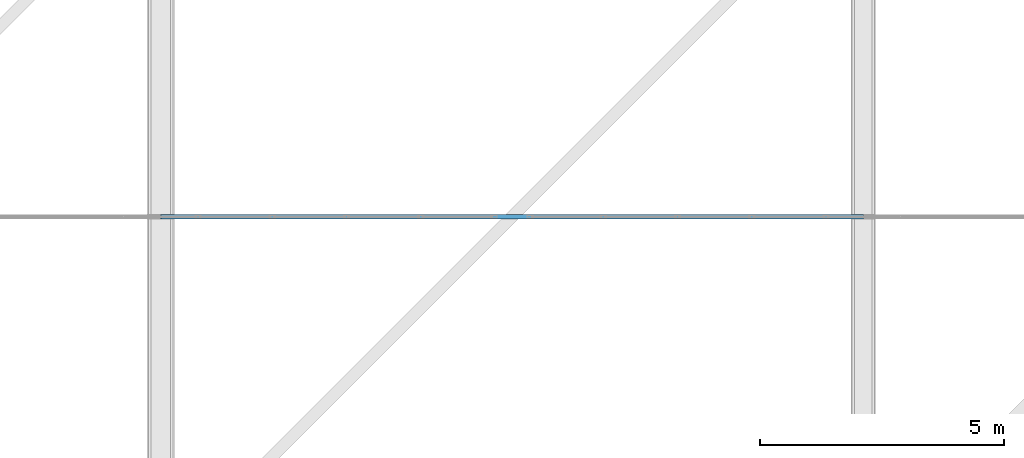
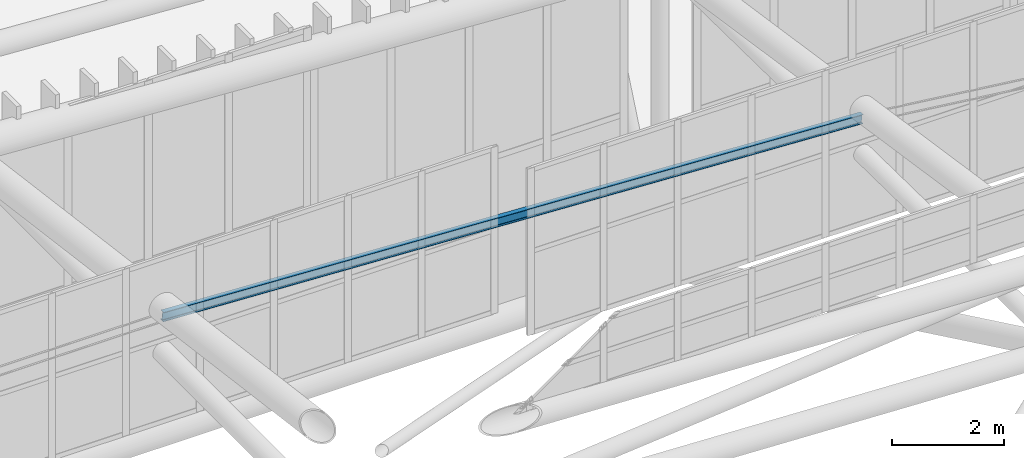
# One storey, part 309 of 397: 1 member.
"""IFC4 building model written with IfcOpenShell, lengths in metres."""

import ifcopenshell
import ifcopenshell.guid

model = None  # the IFC model being written
_history = None  # IfcOwnerHistory: only IFC2X3 demands one
_inside = {}  # id of a spatial element -> (the spatial element, [elements in it])
_under = {}  # id of a project, library or spatial element -> (it, [spatial elements below it])
_declared = {}  # id of a project -> (the project, [libraries it declares])
_typed = {}  # id of a type object -> (the type object, [elements of that type])
_made_of = {}  # id of a material, layer set ... -> (it, [elements and type objects made of it])


def new_model(schema):
    """Start an empty IFC model of exactly this schema.

    Asked for "IFC4X3", IfcOpenShell would pick the latest addendum, in which some entities
    have other attributes; the version numbers below select the first issue.
    IFC2X3 requires an IfcOwnerHistory on every rooted entity: one is made here for all.
    """
    global model, _history
    if schema == "IFC4X3":
        model = ifcopenshell.file(schema_version=(4, 3, 0, 0))
    else:
        model = ifcopenshell.file(schema=schema)
    _inside.clear()
    _under.clear()
    _declared.clear()
    _typed.clear()
    _made_of.clear()
    _history = None
    if model.schema == "IFC2X3":
        org = make("IfcOrganization", Name="unknown")
        user = make(
            "IfcPersonAndOrganization",
            ThePerson=make("IfcPerson", FamilyName="unknown"),
            TheOrganization=org,
        )
        app = make(
            "IfcApplication",
            ApplicationDeveloper=org,
            Version="unknown",
            ApplicationFullName="unknown",
            ApplicationIdentifier="unknown",
        )
        _history = make(
            "IfcOwnerHistory",
            OwningUser=user,
            OwningApplication=app,
            ChangeAction="ADDED",
            CreationDate=0,
        )
    return model


def make(cls, **values):
    """One entity of the class cls with the attributes given. An attribute that is None is left unset."""
    return model.create_entity(
        cls, **{name: value for name, value in values.items() if value is not None}
    )


def rooted(cls, **values):
    """An entity with a GlobalId (a new one), such as an element, a storey or a relation."""
    return make(cls, GlobalId=ifcopenshell.guid.new(), OwnerHistory=_history, **values)


def si_unit(unit_type, name, prefix=None):
    """IfcSIUnit, for example si_unit("LENGTHUNIT", "METRE", prefix="MILLI")."""
    return make("IfcSIUnit", UnitType=unit_type, Prefix=prefix, Name=name)


def assignment(units):
    """IfcUnitAssignment: the units of a project."""
    return None if units is None else make("IfcUnitAssignment", Units=units)


def point(xyz):
    """IfcCartesianPoint."""
    return None if xyz is None else make("IfcCartesianPoint", Coordinates=xyz)


def direction(xyz):
    """IfcDirection."""
    return None if xyz is None else make("IfcDirection", DirectionRatios=xyz)


def frame(location, z_axis=None, x_axis=None):
    """IfcAxis2Placement3D, a coordinate frame: its origin and axes. An axis left out is left unset."""
    return make(
        "IfcAxis2Placement3D",
        Location=point(location),
        Axis=direction(z_axis),
        RefDirection=direction(x_axis),
    )


def frame_2d(location, x_axis=None):
    """IfcAxis2Placement2D, a coordinate frame in the plane: its origin and x axis."""
    return make(
        "IfcAxis2Placement2D", Location=point(location), RefDirection=direction(x_axis)
    )


def origin():
    """The frame at (0, 0, 0) with its axes left unset."""
    return frame((0.0, 0.0, 0.0))


def origin_2d():
    """The frame at (0, 0) in the plane with its x axis left unset."""
    return frame_2d((0.0, 0.0))


def place(relative_to, where):
    """IfcLocalPlacement: puts the frame where relative to a parent placement (None: the world)."""
    return make(
        "IfcLocalPlacement", PlacementRelTo=relative_to, RelativePlacement=where
    )


def context(
    kind, dimensions, precision=None, world=None, true_north=None, identifier=None
):
    """IfcGeometricRepresentationContext, for example the 3D "Model" context."""
    return make(
        "IfcGeometricRepresentationContext",
        ContextIdentifier=identifier,
        ContextType=kind,
        CoordinateSpaceDimension=dimensions,
        Precision=precision,
        WorldCoordinateSystem=world,
        TrueNorth=true_north,
    )


def subcontext(parent, identifier, kind, view, scale=None):
    """IfcGeometricRepresentationSubContext, for example "Body" below "Model"."""
    return make(
        "IfcGeometricRepresentationSubContext",
        ContextIdentifier=identifier,
        ContextType=kind,
        ParentContext=parent,
        TargetScale=scale,
        TargetView=view,
    )


def project(units=None, contexts=None):
    """IfcProject with its units and contexts."""
    return rooted(
        "IfcProject",
        Name="project",
        RepresentationContexts=contexts,
        UnitsInContext=assignment(units),
    )


def spatial(cls, under=None, at=None, **own):
    """A site, building, storey or space (cls), placed at a placement, below another one or the project."""
    s = rooted(cls, ObjectPlacement=at, **own)
    if under is not None:
        _under.setdefault(under.id(), (under, []))[1].append(s)
    return s


def profile(cls, at=None, kind="AREA", **sizes):
    """A parametric profile (cls). Its sizes go by their IFC names, for example OverallWidth=200.0."""
    return make(cls, ProfileType=kind, Position=at, **sizes)


def i_section(**sizes):
    """IfcIShapeProfileDef."""
    return profile("IfcIShapeProfileDef", **sizes)


def extrude(swept, where, along, depth):
    """IfcExtrudedAreaSolid: the profile swept, set in the frame where, extruded along a direction by depth."""
    return make(
        "IfcExtrudedAreaSolid",
        SweptArea=swept,
        Position=where,
        ExtrudedDirection=direction(along),
        Depth=depth,
    )


def shape(context_of_items, identifier, shape_type, items):
    """IfcShapeRepresentation: the items that make up one representation, for example the "Body"."""
    return make(
        "IfcShapeRepresentation",
        ContextOfItems=context_of_items,
        RepresentationIdentifier=identifier,
        RepresentationType=shape_type,
        Items=items,
    )


def material(Name=None, Category=None):
    """IfcMaterial."""
    return make("IfcMaterial", Name=Name, Category=Category)


def material_profile(
    of_material, cross_section, Name=None, Category=None, Priority=None
):
    """IfcMaterialProfile: a cross section and its material."""
    return make(
        "IfcMaterialProfile",
        Name=Name,
        Material=of_material,
        Profile=cross_section,
        Priority=Priority,
        Category=Category,
    )


def profile_set(profiles, Name=None, composite=None):
    """IfcMaterialProfileSet."""
    return make(
        "IfcMaterialProfileSet",
        Name=Name,
        MaterialProfiles=profiles,
        CompositeProfile=composite,
    )


def made_of(thing, what):
    """Note that an element or type object is made of a material, layer set ...; save() writes the relation."""
    if what is not None:
        _made_of.setdefault(what.id(), (what, []))[1].append(thing)
    return thing


def type_object(cls, material=None, **own):
    """A type object (cls), such as IfcWallType, which elements share."""
    return made_of(rooted(cls, **own), material)


def element(
    cls,
    number,
    at=None,
    inside=None,
    cuts=None,
    type_object=None,
    material=None,
    context=None,
    identifier="Body",
    shape_type=None,
    held_by="IfcProductDefinitionShape",
    body=None,
    shapes=None,
    **own,
):
    """One element of the class cls, such as IfcWall. Its Tag is "e" and its number.

    at: its placement. inside: the storey or other place that contains it. cuts: it is an
    opening in that element (IfcRelVoidsElement). A single representation is given by context,
    identifier, shape_type and body (its items); several are given by shapes. held_by: the class
    of the entity that holds the representations. save() writes the other relations.
    """
    e = rooted(cls, Tag="e%d" % number, ObjectPlacement=at, **own)
    if body is not None:
        shapes = [shape(context, identifier, shape_type, body)]
    if shapes is not None:
        e.Representation = make(held_by, Representations=shapes)
    if inside is not None:
        _inside.setdefault(inside.id(), (inside, []))[1].append(e)
    if cuts is not None:
        rooted(
            "IfcRelVoidsElement", RelatingBuildingElement=cuts, RelatedOpeningElement=e
        )
    if type_object is not None:
        _typed.setdefault(type_object.id(), (type_object, []))[1].append(e)
    return made_of(e, material)


def aggregate(whole, parts):
    """IfcRelAggregates: a whole, such as a stair, and the parts it consists of."""
    return rooted("IfcRelAggregates", RelatingObject=whole, RelatedObjects=parts)


def save(model, path):
    """Write the relations noted so far, then the file.

    IfcRelAggregates (storeys below a building ...), IfcRelContainedInSpatialStructure (elements
    in a storey), IfcRelDefinesByType, IfcRelAssociatesMaterial and IfcRelDeclares: one each for
    every whole, place, type object, material and project.
    """
    for whole, parts in _under.values():
        aggregate(whole, parts)
    for where, things in _inside.values():
        rooted(
            "IfcRelContainedInSpatialStructure",
            RelatedElements=things,
            RelatingStructure=where,
        )
    for kind, things in _typed.values():
        rooted("IfcRelDefinesByType", RelatedObjects=things, RelatingType=kind)
    for what, things in _made_of.values():
        rooted("IfcRelAssociatesMaterial", RelatedObjects=things, RelatingMaterial=what)
    for by, libraries in _declared.values():
        rooted("IfcRelDeclares", RelatingContext=by, RelatedDefinitions=libraries)
    model.write(path)


model = new_model("IFC4")

# Units and contexts
model_context = context("Model", 3, precision=1e-05, world=origin(), true_north=direction((0.0, 1.0)))
body_context = subcontext(model_context, "Body", "Model", "MODEL_VIEW")
ifc_project = project(units=[si_unit("LENGTHUNIT", "METRE"), si_unit("AREAUNIT", "SQUARE_METRE"), si_unit("VOLUMEUNIT", "CUBIC_METRE"), si_unit("PLANEANGLEUNIT", "RADIAN"), si_unit("MASSUNIT", "GRAM", prefix="KILO")], contexts=[model_context])

# Site, building, storey
site_placement = place(None, origin())
site = spatial("IfcSite", under=ifc_project, at=site_placement, CompositionType="ELEMENT")
building_placement = place(site_placement, origin())
building = spatial("IfcBuilding", under=site, at=building_placement, Name="Qandorah Velis Arena", CompositionType="ELEMENT")
storey_placement = place(building_placement, frame((0.0, 0.0, 27.5)))
storey = spatial("IfcBuildingStorey", under=building, at=storey_placement, Name="RF", CompositionType="ELEMENT", Elevation=27.5)

# Member
ifc_material = material(Name="Steel S355", Category="steel")
ifc_material_profile = material_profile(ifc_material, i_section(OverallWidth=0.10009765625, OverallDepth=0.199951171875, WebThickness=0.005615234375, FlangeThickness=0.008544921875, FilletRadius=0.011962890625, at=origin_2d()), Name="IPE 200")
ifc_profile_set = profile_set([ifc_material_profile], Name="Steel S355")
member_type = type_object("IfcMemberType", Name="STR-PRL-IPE200", PredefinedType="PURLIN", material=ifc_profile_set)
member_placement = place(storey_placement, frame((72.0, 108.0, 8.389404296875), z_axis=(0.998717559188, 0.0, -0.050628420569), x_axis=(0.0, 1.0, 0.0)))
element("IfcMember", 1, at=member_placement, inside=storey, type_object=member_type, Name="Arena roof purlin PRL-4.6", PredefinedType="PURLIN", context=body_context, shape_type="SweptSolid", body=[
    extrude(i_section(OverallWidth=0.10009765625, OverallDepth=0.199951171875, WebThickness=0.005615234375, FlangeThickness=0.008544921875, FilletRadius=0.011962890625, at=origin_2d()), origin(), (0.0, 0.0, 1.0), 14.41845703125),
])

save(model, "model.ifc")
